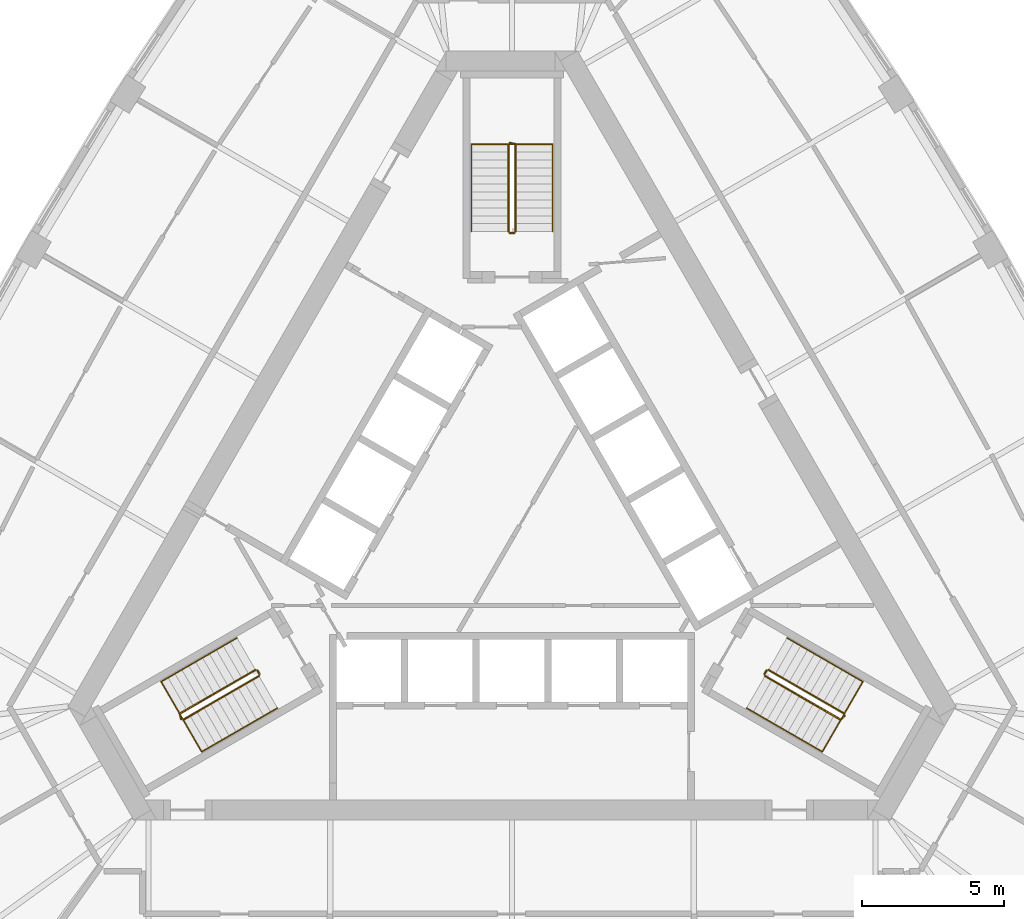
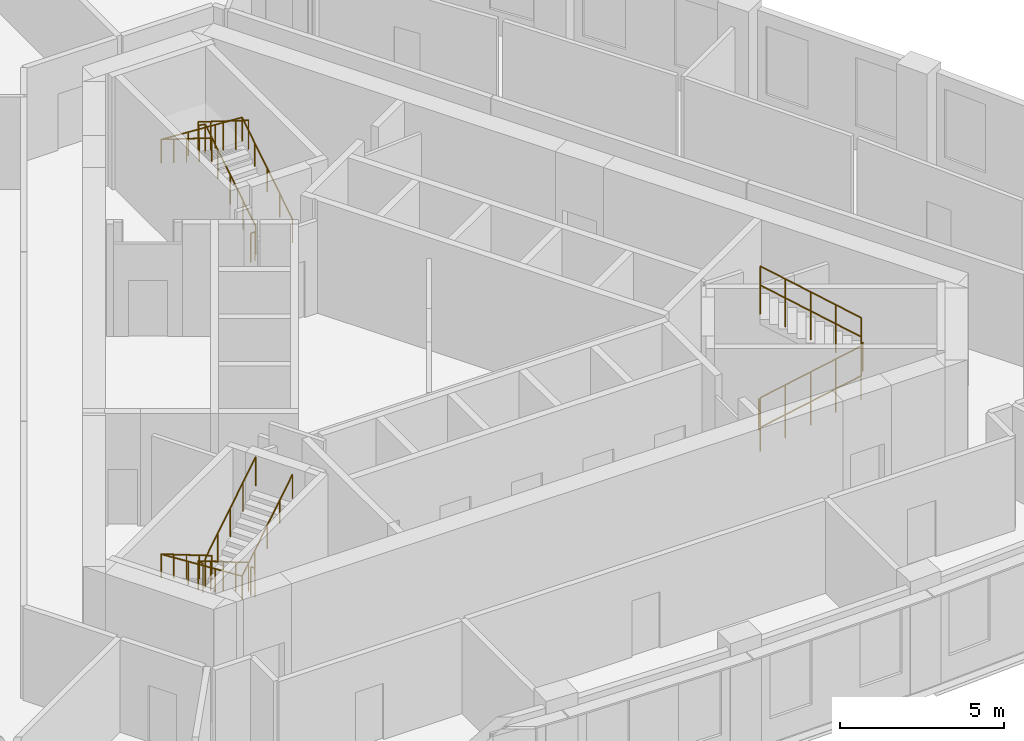
# One storey, part 11 of 11: 12 railings.
"""IFC4 building model written with IfcOpenShell, lengths in metres."""

from ifc_helpers import new_model, si_unit, direction, frame, origin, origin_2d, place, context, subcontext, project, spatial, circle, extrude, material, type_object, element, save


model = new_model("IFC4")

# Units and contexts
model_context = context("Model", 3, precision=1e-05, world=origin(), true_north=direction((0.0, 1.0)))
body_context = subcontext(model_context, "Body", "Model", "MODEL_VIEW")
ifc_project = project(units=[si_unit("LENGTHUNIT", "METRE"), si_unit("AREAUNIT", "SQUARE_METRE"), si_unit("VOLUMEUNIT", "CUBIC_METRE"), si_unit("PLANEANGLEUNIT", "RADIAN"), si_unit("MASSUNIT", "GRAM", prefix="KILO")], contexts=[model_context])

# Site, building, storey
site_placement = place(None, origin())
site = spatial("IfcSite", under=ifc_project, at=site_placement, CompositionType="ELEMENT")
building_placement = place(site_placement, origin())
building = spatial("IfcBuilding", under=site, at=building_placement, Name="Mestral Congress Tower", CompositionType="ELEMENT")
storey_placement = place(building_placement, frame((0.0, 0.0, 205.800048828125)))
storey = spatial("IfcBuildingStorey", under=building, at=storey_placement, Name="L48", CompositionType="ELEMENT", Elevation=205.800048828125)

# Railings
ifc_material_1 = material(Name="Steel balustrade", Category="steel")
railing_type_1 = type_object("IfcRailingType", Name="Stair guard 1100", PredefinedType="GUARDRAIL", material=ifc_material_1)
railing_1_placement = place(storey_placement, frame((8.90087890625, -5.283203125, 0.175048828125)))
element("IfcRailing", 1, at=railing_1_placement, inside=storey, type_object=railing_type_1, Name="L48 ST1 stair guard 1", PredefinedType="GUARDRAIL", context=body_context, shape_type="SweptSolid", body=[
    extrude(circle(Radius=0.02392578125, at=origin_2d()), frame((0.0, 0.0, 1.076171875), z_axis=(0.734390191396, -0.42403051051, 0.529970917068), x_axis=(0.500026652407, 0.866010015463, 0.0)), (0.0, 0.0, 1.0), 3.6318359375),
    extrude(circle(Radius=0.02392578125, at=origin_2d()), frame((2.667236328125, -1.5400390625, 3.0009765625), z_axis=(0.695164929852, 0.718850276695, 0.0), x_axis=(-0.718850276695, 0.695164929852, 0.0)), (0.0, 0.0, 1.0), 0.2060546875),
    extrude(circle(Radius=0.02099609375, at=origin_2d()), origin(), (0.0, 0.0, 1.0), 1.052001953125),
    extrude(circle(Radius=0.02099609375, at=origin_2d()), frame((0.666748046875, -0.385009765625, 0.481201171875)), (0.0, 0.0, 1.0), 1.052001953125),
    extrude(circle(Radius=0.02099609375, at=origin_2d()), frame((1.33349609375, -0.77001953125, 0.96240234375)), (0.0, 0.0, 1.0), 1.052001953125),
    extrude(circle(Radius=0.02099609375, at=origin_2d()), frame((2.00048828125, -1.155029296875, 1.443603515625)), (0.0, 0.0, 1.0), 1.052001953125),
    extrude(circle(Radius=0.02099609375, at=origin_2d()), frame((2.667236328125, -1.5400390625, 1.9248046875)), (0.0, 0.0, 1.0), 1.052001953125),
    extrude(circle(Radius=0.02099609375, at=origin_2d()), frame((2.810546875, -1.391845703125, 1.9248046875)), (0.0, 0.0, 1.0), 1.052001953125),
])
railing_2_placement = place(storey_placement, frame((11.693115234375, -6.606689453125, 2.27490234375)))
element("IfcRailing", 2, at=railing_2_placement, inside=storey, type_object=railing_type_1, Name="L48 ST1 stair guard 2", PredefinedType="GUARDRAIL", context=body_context, shape_type="SweptSolid", body=[
    extrude(circle(Radius=0.02392578125, at=origin_2d()), frame((0.0, 0.0, 1.076171875), z_axis=(-0.734364028329, 0.424015404183, 0.530019255228), x_axis=(-0.500026652407, -0.866010015463, 0.0)), (0.0, 0.0, 1.0), 3.632080078125),
    extrude(circle(Radius=0.02099609375, at=origin_2d()), origin(), (0.0, 0.0, 1.0), 1.052001953125),
    extrude(circle(Radius=0.02099609375, at=origin_2d()), frame((-0.666748046875, 0.385009765625, 0.481201171875)), (0.0, 0.0, 1.0), 1.052001953125),
    extrude(circle(Radius=0.02099609375, at=origin_2d()), frame((-1.33349609375, 0.77001953125, 0.96240234375)), (0.0, 0.0, 1.0), 1.052001953125),
    extrude(circle(Radius=0.02099609375, at=origin_2d()), frame((-2.00048828125, 1.155029296875, 1.44384765625)), (0.0, 0.0, 1.0), 1.052001953125),
    extrude(circle(Radius=0.02099609375, at=origin_2d()), frame((-2.667236328125, 1.5400390625, 1.925048828125)), (0.0, 0.0, 1.0), 1.052001953125),
])
railing_3_placement = place(storey_placement, frame((8.882568359375, -5.21484375, 0.0)))
element("IfcRailing", 3, at=railing_3_placement, inside=storey, type_object=railing_type_1, Name="L48 ST1 stair guard 3", PredefinedType="GUARDRAIL", context=body_context, shape_type="SweptSolid", body=[
    extrude(circle(Radius=0.02392578125, at=origin_2d()), frame((0.0, 0.0, 1.076171875), z_axis=(0.499816412211, 0.866131372301, 0.0), x_axis=(-0.866131372301, 0.499816412211, 0.0)), (0.0, 0.0, 1.0), 0.14990234375),
    extrude(circle(Radius=0.02099609375, at=origin_2d()), origin(), (0.0, 0.0, 1.0), 1.052001953125),
    extrude(circle(Radius=0.02099609375, at=origin_2d()), frame((0.074951171875, 0.1298828125, 0.0)), (0.0, 0.0, 1.0), 1.052001953125),
])
railing_4_placement = place(storey_placement, frame((0.125, 10.35009765625, 0.175048828125)))
element("IfcRailing", 4, at=railing_4_placement, inside=storey, type_object=railing_type_1, Name="L48 ST2 stair guard 1", PredefinedType="GUARDRAIL", context=body_context, shape_type="SweptSolid", body=[
    extrude(circle(Radius=0.02392578125, at=origin_2d()), frame((0.0, 0.0, 1.076171875), z_axis=(0.0, 0.848009633417, 0.529980812513), x_axis=(-1.0, 0.0, 0.0)), (0.0, 0.0, 1.0), 3.6318359375),
    extrude(circle(Radius=0.02392578125, at=origin_2d()), frame((0.0, 3.079833984375, 3.0009765625), z_axis=(-0.970072785993, 0.242814311512, 0.0), x_axis=(-0.242814311512, -0.970072785993, 0.0)), (0.0, 0.0, 1.0), 0.2060546875),
    extrude(circle(Radius=0.02099609375, at=origin_2d()), origin(), (0.0, 0.0, 1.0), 1.052001953125),
    extrude(circle(Radius=0.02099609375, at=origin_2d()), frame((0.0, 0.77001953125, 0.481201171875)), (0.0, 0.0, 1.0), 1.052001953125),
    extrude(circle(Radius=0.02099609375, at=origin_2d()), frame((0.0, 1.5400390625, 0.96240234375)), (0.0, 0.0, 1.0), 1.052001953125),
    extrude(circle(Radius=0.02099609375, at=origin_2d()), frame((0.0, 2.309814453125, 1.443603515625)), (0.0, 0.0, 1.0), 1.052001953125),
    extrude(circle(Radius=0.02099609375, at=origin_2d()), frame((0.0, 3.079833984375, 1.9248046875)), (0.0, 0.0, 1.0), 1.052001953125),
    extrude(circle(Radius=0.02099609375, at=origin_2d()), frame((-0.199951171875, 3.1298828125, 1.9248046875)), (0.0, 0.0, 1.0), 1.052001953125),
])
railing_5_placement = place(storey_placement, frame((-0.125, 13.429931640625, 2.27490234375)))
element("IfcRailing", 5, at=railing_5_placement, inside=storey, type_object=railing_type_1, Name="L48 ST2 stair guard 2", PredefinedType="GUARDRAIL", context=body_context, shape_type="SweptSolid", body=[
    extrude(circle(Radius=0.02392578125, at=origin_2d()), frame((0.0, 0.0, 1.076171875), z_axis=(0.0, -0.847979421464, 0.530029150871), x_axis=(1.0, 0.0, 0.0)), (0.0, 0.0, 1.0), 3.632080078125),
    extrude(circle(Radius=0.02099609375, at=origin_2d()), origin(), (0.0, 0.0, 1.0), 1.052001953125),
    extrude(circle(Radius=0.02099609375, at=origin_2d()), frame((0.0, -0.77001953125, 0.481201171875)), (0.0, 0.0, 1.0), 1.052001953125),
    extrude(circle(Radius=0.02099609375, at=origin_2d()), frame((0.0, -1.5400390625, 0.96240234375)), (0.0, 0.0, 1.0), 1.052001953125),
    extrude(circle(Radius=0.02099609375, at=origin_2d()), frame((0.0, -2.309814453125, 1.44384765625)), (0.0, 0.0, 1.0), 1.052001953125),
    extrude(circle(Radius=0.02099609375, at=origin_2d()), frame((0.0, -3.079833984375, 1.925048828125)), (0.0, 0.0, 1.0), 1.052001953125),
])
railing_6_placement = place(storey_placement, frame((0.074951171875, 10.300048828125, 0.0)))
element("IfcRailing", 6, at=railing_6_placement, inside=storey, type_object=railing_type_1, Name="L48 ST2 stair guard 3", PredefinedType="GUARDRAIL", context=body_context, shape_type="SweptSolid", body=[
    extrude(circle(Radius=0.02392578125, at=origin_2d()), frame((0.0, 0.0, 1.076171875), z_axis=(-1.0, 0.0, 0.0), x_axis=(0.0, -1.0, 0.0)), (0.0, 0.0, 1.0), 0.14990234375),
    extrude(circle(Radius=0.02099609375, at=origin_2d()), origin(), (0.0, 0.0, 1.0), 1.052001953125),
    extrude(circle(Radius=0.02099609375, at=origin_2d()), frame((-0.14990234375, 0.0, 0.0)), (0.0, 0.0, 1.0), 1.052001953125),
])
railing_7_placement = place(storey_placement, frame((-9.02587890625, -5.066650390625, 0.175048828125)))
element("IfcRailing", 7, at=railing_7_placement, inside=storey, type_object=railing_type_1, Name="L48 ST3 stair guard 1", PredefinedType="GUARDRAIL", context=body_context, shape_type="SweptSolid", body=[
    extrude(circle(Radius=0.02392578125, at=origin_2d()), frame((0.0, 0.0, 1.076171875), z_axis=(-0.734390191396, -0.42403051051, 0.529970917068), x_axis=(0.500026652407, -0.866010015463, 0.0)), (0.0, 0.0, 1.0), 3.6318359375),
    extrude(circle(Radius=0.02392578125, at=origin_2d()), frame((-2.667236328125, -1.5400390625, 3.0009765625), z_axis=(0.274721127897, -0.961523947641, 0.0), x_axis=(0.961523947641, 0.274721127897, 0.0)), (0.0, 0.0, 1.0), 0.2060546875),
    extrude(circle(Radius=0.02099609375, at=origin_2d()), origin(), (0.0, 0.0, 1.0), 1.052001953125),
    extrude(circle(Radius=0.02099609375, at=origin_2d()), frame((-0.666748046875, -0.385009765625, 0.481201171875)), (0.0, 0.0, 1.0), 1.052001953125),
    extrude(circle(Radius=0.02099609375, at=origin_2d()), frame((-1.33349609375, -0.77001953125, 0.96240234375)), (0.0, 0.0, 1.0), 1.052001953125),
    extrude(circle(Radius=0.02099609375, at=origin_2d()), frame((-2.00048828125, -1.155029296875, 1.443603515625)), (0.0, 0.0, 1.0), 1.052001953125),
    extrude(circle(Radius=0.02099609375, at=origin_2d()), frame((-2.667236328125, -1.5400390625, 1.9248046875)), (0.0, 0.0, 1.0), 1.052001953125),
    extrude(circle(Radius=0.02099609375, at=origin_2d()), frame((-2.610595703125, -1.73828125, 1.9248046875)), (0.0, 0.0, 1.0), 1.052001953125),
])
railing_8_placement = place(storey_placement, frame((-11.568115234375, -6.8232421875, 2.27490234375)))
element("IfcRailing", 8, at=railing_8_placement, inside=storey, type_object=railing_type_1, Name="L48 ST3 stair guard 2", PredefinedType="GUARDRAIL", context=body_context, shape_type="SweptSolid", body=[
    extrude(circle(Radius=0.02392578125, at=origin_2d()), frame((0.0, 0.0, 1.076171875), z_axis=(0.734364028329, 0.424015404183, 0.530019255228), x_axis=(-0.500026652407, 0.866010015463, 0.0)), (0.0, 0.0, 1.0), 3.632080078125),
    extrude(circle(Radius=0.02099609375, at=origin_2d()), origin(), (0.0, 0.0, 1.0), 1.052001953125),
    extrude(circle(Radius=0.02099609375, at=origin_2d()), frame((0.666748046875, 0.385009765625, 0.481201171875)), (0.0, 0.0, 1.0), 1.052001953125),
    extrude(circle(Radius=0.02099609375, at=origin_2d()), frame((1.33349609375, 0.77001953125, 0.96240234375)), (0.0, 0.0, 1.0), 1.052001953125),
    extrude(circle(Radius=0.02099609375, at=origin_2d()), frame((2.00048828125, 1.155029296875, 1.44384765625)), (0.0, 0.0, 1.0), 1.052001953125),
    extrude(circle(Radius=0.02099609375, at=origin_2d()), frame((2.667236328125, 1.5400390625, 1.925048828125)), (0.0, 0.0, 1.0), 1.052001953125),
])
railing_9_placement = place(storey_placement, frame((-8.95751953125, -5.0849609375, 0.0)))
element("IfcRailing", 9, at=railing_9_placement, inside=storey, type_object=railing_type_1, Name="L48 ST3 stair guard 3", PredefinedType="GUARDRAIL", context=body_context, shape_type="SweptSolid", body=[
    extrude(circle(Radius=0.02392578125, at=origin_2d()), frame((0.0, 0.0, 1.076171875), z_axis=(0.499816412211, -0.866131372301, 0.0), x_axis=(0.866131372301, 0.499816412211, 0.0)), (0.0, 0.0, 1.0), 0.14990234375),
    extrude(circle(Radius=0.02099609375, at=origin_2d()), origin(), (0.0, 0.0, 1.0), 1.052001953125),
    extrude(circle(Radius=0.02099609375, at=origin_2d()), frame((0.074951171875, -0.1298828125, 0.0)), (0.0, 0.0, 1.0), 1.052001953125),
])
ifc_material_2 = material(Name="Steel handrail", Category="steel")
railing_type_2 = type_object("IfcRailingType", Name="Stair handrail 900", PredefinedType="HANDRAIL", material=ifc_material_2)
railing_10_placement = place(storey_placement, frame((8.2509765625, -6.4091796875, 0.175048828125)))
element("IfcRailing", 10, at=railing_10_placement, inside=storey, type_object=railing_type_2, Name="L48 ST1 stair handrail 1", PredefinedType="HANDRAIL", context=body_context, shape_type="SweptSolid", body=[
    extrude(circle(Radius=0.02392578125, at=origin_2d()), frame((0.0, 0.0, 0.8759765625), z_axis=(0.734411123532, -0.423975373557, 0.529986022693), x_axis=(0.499967199496, 0.866044340336, 0.0)), (0.0, 0.0, 1.0), 3.6318359375),
    extrude(circle(Radius=0.02392578125, at=origin_2d()), frame((2.667236328125, -1.539794921875, 2.80078125), z_axis=(0.499095769026, 0.864375386171, 0.061307463833), x_axis=(-0.866004402611, 0.500036373335, 0.0)), (0.0, 0.0, 1.0), 2.855224609375),
    extrude(circle(Radius=0.02392578125, at=origin_2d()), frame((4.09228515625, 0.92822265625, 2.9755859375), z_axis=(-0.734394994316, 0.423994474112, 0.52999309264), x_axis=(-0.499992328818, -0.866029832698, 0.0)), (0.0, 0.0, 1.0), 3.63232421875),
    extrude(circle(Radius=0.02099609375, at=origin_2d()), origin(), (0.0, 0.0, 1.0), 0.851806640625),
    extrude(circle(Radius=0.02099609375, at=origin_2d()), frame((0.666748046875, -0.385009765625, 0.481201171875)), (0.0, 0.0, 1.0), 0.851806640625),
    extrude(circle(Radius=0.02099609375, at=origin_2d()), frame((1.33349609375, -0.77001953125, 0.96240234375)), (0.0, 0.0, 1.0), 0.851806640625),
    extrude(circle(Radius=0.02099609375, at=origin_2d()), frame((2.00048828125, -1.15478515625, 1.443603515625)), (0.0, 0.0, 1.0), 0.851806640625),
    extrude(circle(Radius=0.02099609375, at=origin_2d()), frame((2.667236328125, -1.539794921875, 1.9248046875)), (0.0, 0.0, 1.0), 0.851806640625),
    extrude(circle(Radius=0.02099609375, at=origin_2d()), frame((3.142333984375, -0.717041015625, 1.983154296875)), (0.0, 0.0, 1.0), 0.851806640625),
    extrude(circle(Radius=0.02099609375, at=origin_2d()), frame((3.6171875, 0.10546875, 2.04150390625)), (0.0, 0.0, 1.0), 0.851806640625),
    extrude(circle(Radius=0.02099609375, at=origin_2d()), frame((4.09228515625, 0.92822265625, 2.099853515625)), (0.0, 0.0, 1.0), 0.851806640625),
    extrude(circle(Radius=0.02099609375, at=origin_2d()), frame((3.42529296875, 1.313232421875, 2.5810546875)), (0.0, 0.0, 1.0), 0.851806640625),
    extrude(circle(Radius=0.02099609375, at=origin_2d()), frame((2.758544921875, 1.6982421875, 3.0625)), (0.0, 0.0, 1.0), 0.851806640625),
    extrude(circle(Radius=0.02099609375, at=origin_2d()), frame((2.091796875, 2.083251953125, 3.543701171875)), (0.0, 0.0, 1.0), 0.851806640625),
    extrude(circle(Radius=0.02099609375, at=origin_2d()), frame((1.4248046875, 2.46826171875, 4.02490234375)), (0.0, 0.0, 1.0), 0.851806640625),
])
railing_11_placement = place(storey_placement, frame((1.425048828125, 10.35009765625, 0.175048828125)))
element("IfcRailing", 11, at=railing_11_placement, inside=storey, type_object=railing_type_2, Name="L48 ST2 stair handrail 1", PredefinedType="HANDRAIL", context=body_context, shape_type="SweptSolid", body=[
    extrude(circle(Radius=0.02392578125, at=origin_2d()), frame((0.0, 0.0, 0.8759765625), z_axis=(0.0, 0.848009633417, 0.529980812513), x_axis=(-1.0, 0.0, 0.0)), (0.0, 0.0, 1.0), 3.6318359375),
    extrude(circle(Radius=0.02392578125, at=origin_2d()), frame((0.0, 3.079833984375, 2.80078125), z_axis=(-0.998119201106, 0.0, 0.061303021003), x_axis=(0.0, -1.0, 0.0)), (0.0, 0.0, 1.0), 2.85546875),
    extrude(circle(Radius=0.02392578125, at=origin_2d()), frame((-2.85009765625, 3.079833984375, 2.9755859375), z_axis=(0.0, -0.847979421464, 0.530029150871), x_axis=(1.0, 0.0, 0.0)), (0.0, 0.0, 1.0), 3.632080078125),
    extrude(circle(Radius=0.02099609375, at=origin_2d()), origin(), (0.0, 0.0, 1.0), 0.851806640625),
    extrude(circle(Radius=0.02099609375, at=origin_2d()), frame((0.0, 0.77001953125, 0.481201171875)), (0.0, 0.0, 1.0), 0.851806640625),
    extrude(circle(Radius=0.02099609375, at=origin_2d()), frame((0.0, 1.5400390625, 0.96240234375)), (0.0, 0.0, 1.0), 0.851806640625),
    extrude(circle(Radius=0.02099609375, at=origin_2d()), frame((0.0, 2.309814453125, 1.443603515625)), (0.0, 0.0, 1.0), 0.851806640625),
    extrude(circle(Radius=0.02099609375, at=origin_2d()), frame((0.0, 3.079833984375, 1.9248046875)), (0.0, 0.0, 1.0), 0.851806640625),
    extrude(circle(Radius=0.02099609375, at=origin_2d()), frame((-0.949951171875, 3.079833984375, 1.983154296875)), (0.0, 0.0, 1.0), 0.851806640625),
    extrude(circle(Radius=0.02099609375, at=origin_2d()), frame((-1.900146484375, 3.079833984375, 2.04150390625)), (0.0, 0.0, 1.0), 0.851806640625),
    extrude(circle(Radius=0.02099609375, at=origin_2d()), frame((-2.85009765625, 3.079833984375, 2.099853515625)), (0.0, 0.0, 1.0), 0.851806640625),
    extrude(circle(Radius=0.02099609375, at=origin_2d()), frame((-2.85009765625, 2.309814453125, 2.5810546875)), (0.0, 0.0, 1.0), 0.851806640625),
    extrude(circle(Radius=0.02099609375, at=origin_2d()), frame((-2.85009765625, 1.5400390625, 3.0625)), (0.0, 0.0, 1.0), 0.851806640625),
    extrude(circle(Radius=0.02099609375, at=origin_2d()), frame((-2.85009765625, 0.77001953125, 3.543701171875)), (0.0, 0.0, 1.0), 0.851806640625),
    extrude(circle(Radius=0.02099609375, at=origin_2d()), frame((-2.85009765625, 0.0, 4.02490234375)), (0.0, 0.0, 1.0), 0.851806640625),
])
railing_12_placement = place(storey_placement, frame((-9.67578125, -3.94091796875, 0.175048828125)))
element("IfcRailing", 12, at=railing_12_placement, inside=storey, type_object=railing_type_2, Name="L48 ST3 stair handrail 1", PredefinedType="HANDRAIL", context=body_context, shape_type="SweptSolid", body=[
    extrude(circle(Radius=0.02392578125, at=origin_2d()), frame((0.0, 0.0, 0.8759765625), z_axis=(-0.734421155904, -0.424009578203, 0.529944755001), x_axis=(0.499992328818, -0.866029832698, 0.0)), (0.0, 0.0, 1.0), 3.632080078125),
    extrude(circle(Radius=0.02392578125, at=origin_2d()), frame((-2.66748046875, -1.5400390625, 2.80078125), z_axis=(0.499095769026, -0.864375386171, 0.061307463833), x_axis=(0.866004402611, 0.500036373335, 0.0)), (0.0, 0.0, 1.0), 2.855224609375),
    extrude(circle(Radius=0.02392578125, at=origin_2d()), frame((-1.242431640625, -4.008056640625, 2.9755859375), z_axis=(0.734384958227, 0.423960268333, 0.530034361155), x_axis=(-0.499967199496, 0.866044340336, 0.0)), (0.0, 0.0, 1.0), 3.6318359375),
    extrude(circle(Radius=0.02099609375, at=origin_2d()), origin(), (0.0, 0.0, 1.0), 0.851806640625),
    extrude(circle(Radius=0.02099609375, at=origin_2d()), frame((-0.6669921875, -0.385009765625, 0.481201171875)), (0.0, 0.0, 1.0), 0.851806640625),
    extrude(circle(Radius=0.02099609375, at=origin_2d()), frame((-1.333740234375, -0.77001953125, 0.96240234375)), (0.0, 0.0, 1.0), 0.851806640625),
    extrude(circle(Radius=0.02099609375, at=origin_2d()), frame((-2.00048828125, -1.155029296875, 1.443603515625)), (0.0, 0.0, 1.0), 0.851806640625),
    extrude(circle(Radius=0.02099609375, at=origin_2d()), frame((-2.66748046875, -1.5400390625, 1.9248046875)), (0.0, 0.0, 1.0), 0.851806640625),
    extrude(circle(Radius=0.02099609375, at=origin_2d()), frame((-2.1923828125, -2.36279296875, 1.983154296875)), (0.0, 0.0, 1.0), 0.851806640625),
    extrude(circle(Radius=0.02099609375, at=origin_2d()), frame((-1.717529296875, -3.185302734375, 2.04150390625)), (0.0, 0.0, 1.0), 0.851806640625),
    extrude(circle(Radius=0.02099609375, at=origin_2d()), frame((-1.242431640625, -4.008056640625, 2.099853515625)), (0.0, 0.0, 1.0), 0.851806640625),
    extrude(circle(Radius=0.02099609375, at=origin_2d()), frame((-0.57568359375, -3.623046875, 2.5810546875)), (0.0, 0.0, 1.0), 0.851806640625),
    extrude(circle(Radius=0.02099609375, at=origin_2d()), frame((0.09130859375, -3.23828125, 3.0625)), (0.0, 0.0, 1.0), 0.851806640625),
    extrude(circle(Radius=0.02099609375, at=origin_2d()), frame((0.758056640625, -2.853271484375, 3.543701171875)), (0.0, 0.0, 1.0), 0.851806640625),
    extrude(circle(Radius=0.02099609375, at=origin_2d()), frame((1.4248046875, -2.46826171875, 4.02490234375)), (0.0, 0.0, 1.0), 0.851806640625),
])

save(model, "model.ifc")
